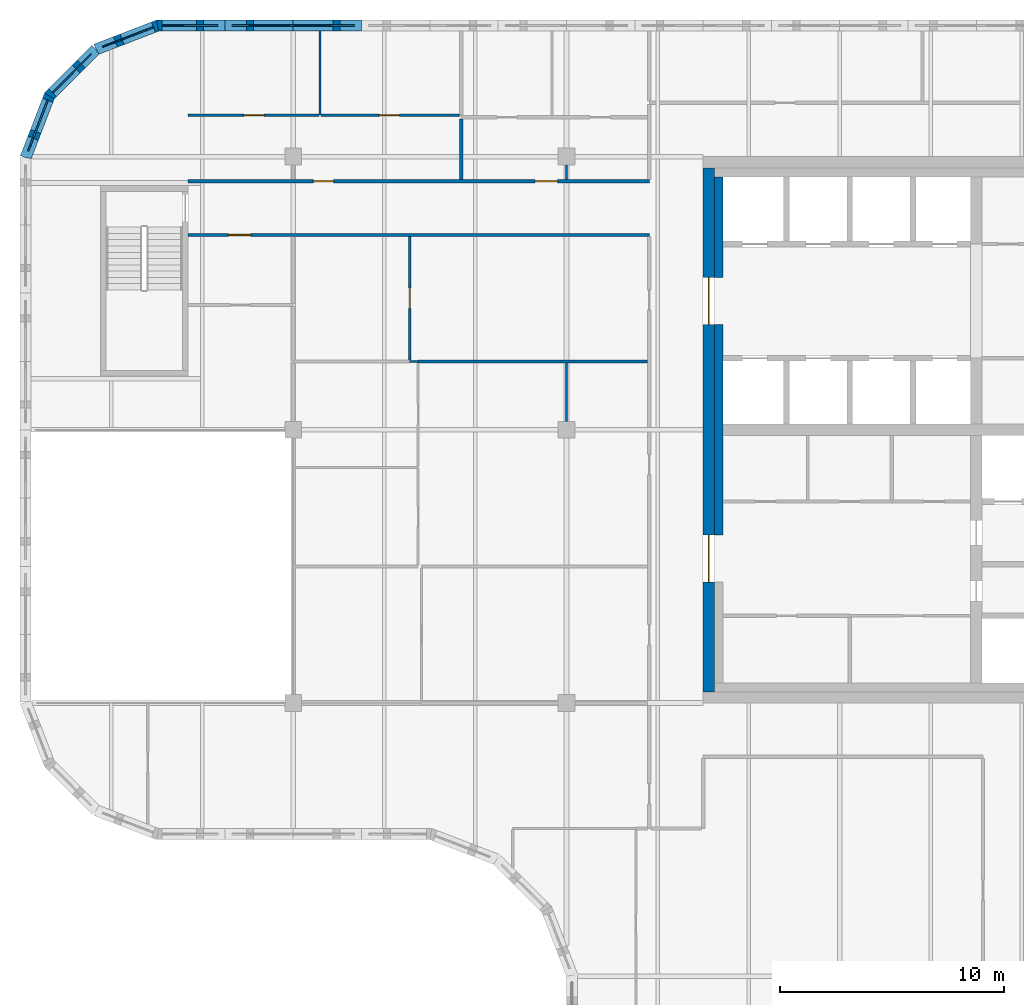
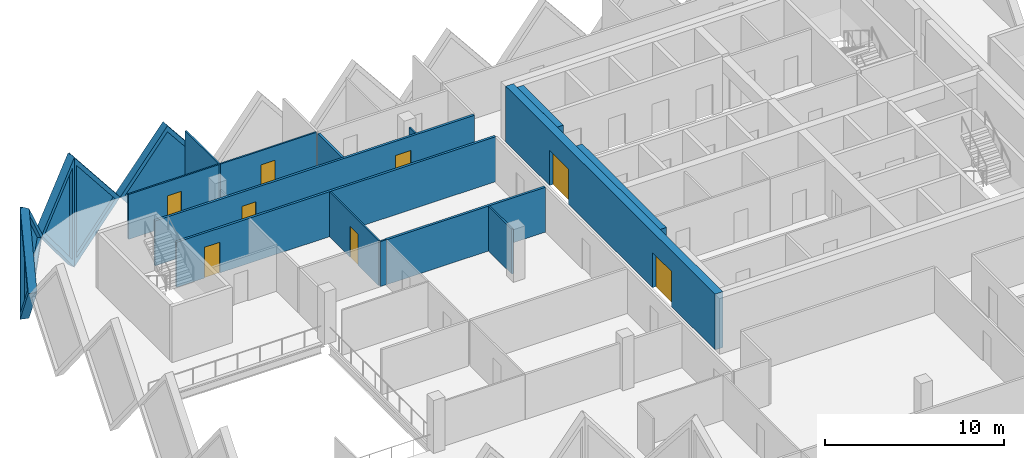
# One storey, part 7 of 12: 19 walls, 8 doors, 5 plates, 13 openings.
"""IFC4 building model written with IfcOpenShell, lengths in metres."""

from ifc_helpers import new_model, si_unit, direction, frame, frame_2d, origin, place, context, subcontext, project, spatial, polyline, rectangle, outline, extrude, faceted_brep, source, transform, mapped, material, layer, layer_set, type_object, element, fill, save


model = new_model("IFC4")

# Units and contexts
model_context = context("Model", 3, precision=1e-05, world=origin(), true_north=direction((0.0, 1.0)))
body_context = subcontext(model_context, "Body", "Model", "MODEL_VIEW")
ifc_project = project(units=[si_unit("LENGTHUNIT", "METRE"), si_unit("AREAUNIT", "SQUARE_METRE"), si_unit("VOLUMEUNIT", "CUBIC_METRE"), si_unit("PLANEANGLEUNIT", "RADIAN"), si_unit("MASSUNIT", "GRAM", prefix="KILO")], contexts=[model_context])

# Site, building, storey
site_placement = place(None, origin())
site = spatial("IfcSite", under=ifc_project, at=site_placement, CompositionType="ELEMENT")
building_placement = place(site_placement, origin())
building = spatial("IfcBuilding", under=site, at=building_placement, Name="Tessera Gate Towers", CompositionType="ELEMENT")
storey_placement = place(building_placement, frame((0.0, 0.0, 220.699951171875)))
storey = spatial("IfcBuildingStorey", under=building, at=storey_placement, Name="L55", CompositionType="ELEMENT", Elevation=220.699951171875)

# Wall, openings, doors
ifc_material_1 = material(Name="Concrete C50/60", Category="concrete")
ifc_layer_1 = layer(ifc_material_1, 0.5)
ifc_layer_set_1 = layer_set([ifc_layer_1], Name="CORE SHEAR WALL 500 C50/60")
wall_type_1 = type_object("IfcWallType", Name="CORE SHEAR WALL 500 C50/60", PredefinedType="SHEAR", material=ifc_layer_set_1)
wall_1_placement = place(storey_placement, frame((30.75, 24.89990234375, 0.0), z_axis=(0.0, 0.0, 1.0), x_axis=(0.0, 1.0, 0.0)))
wall_1 = element("IfcWall", 1, at=wall_1_placement, inside=storey, type_object=wall_type_1, Name="Core wall W L55", PredefinedType="SHEAR", context=body_context, shape_type="SweptSolid", body=[
    extrude(rectangle(XDim=23.400146484375, YDim=0.5, at=frame_2d((11.7001953125, 0.0))), origin(), (0.0, 0.0, 1.0), 3.800048828125),
])
shared_shape_1 = source(origin(), body_context, "Body", "SweptSolid", [
    extrude(rectangle(XDim=2.10009765625, YDim=2.39990234375, at=frame_2d((1.050048828125, 1.199951171875))), frame((0.0, 0.260009765625, 0.0), z_axis=(0.0, -1.0, 0.0), x_axis=(1.0, 0.0, 0.0)), (0.0, 0.0, 1.0), 0.52001953125),
])
opening_1_placement = place(wall_1_placement, frame((4.89990234375, 0.0, 0.0)))
opening_1 = element("IfcOpeningElement", 2, at=opening_1_placement, cuts=wall_1, Name="Opening DD-T1-33-02", PredefinedType="OPENING", context=body_context, shape_type="MappedRepresentation", body=[
    mapped(shared_shape_1, transform((0.0, 0.0, 0.0), scale=1.0)),
])
opening_2_placement = place(wall_1_placement, frame((16.39990234375, 0.0, 0.0)))
opening_2 = element("IfcOpeningElement", 3, at=opening_2_placement, cuts=wall_1, Name="Opening DD-T1-33-03", PredefinedType="OPENING", context=body_context, shape_type="MappedRepresentation", body=[
    mapped(shared_shape_1, transform((0.0, 0.0, 0.0), scale=1.0)),
])
ifc_material_2 = material(Name="Hollow steel fire door", Category="steel")
door_type_1 = type_object("IfcDoorType", Name="CORE DOOR DD 2100x2400", OperationType="NOTDEFINED", PredefinedType="DOOR", material=ifc_material_2)
shared_shape_2 = source(origin(), body_context, "Body", "SweptSolid", [
    extrude(rectangle(XDim=2.10009765625, YDim=2.39990234375, at=frame_2d((1.050048828125, 1.199951171875))), frame((0.0, 0.02490234375, 0.0), z_axis=(0.0, -1.0, 0.0), x_axis=(1.0, 0.0, 0.0)), (0.0, 0.0, 1.0), 0.050048828125),
])
door_1_placement = place(opening_1_placement, origin())
door_1 = element("IfcDoor", 4, at=door_1_placement, inside=storey, type_object=door_type_1, Name="Core entrance door", OperationType="DOUBLE_DOOR_SINGLE_SWING", OverallHeight=2.39990234375, OverallWidth=2.10009765625, PredefinedType="DOOR", context=body_context, shape_type="MappedRepresentation", body=[
    mapped(shared_shape_2, transform((0.0, 0.0, 0.0), scale=1.0)),
])
fill(opening_1, door_1)
door_2_placement = place(opening_2_placement, origin())
door_2 = element("IfcDoor", 5, at=door_2_placement, inside=storey, type_object=door_type_1, Name="Core entrance door", OperationType="DOUBLE_DOOR_SINGLE_SWING", OverallHeight=2.39990234375, OverallWidth=2.10009765625, PredefinedType="DOOR", context=body_context, shape_type="MappedRepresentation", body=[
    mapped(shared_shape_2, transform((0.0, 0.0, 0.0), scale=1.0)),
])
fill(opening_2, door_2)

# Walls
ifc_material_3 = material(Name="Concrete C50/60", Category="concrete")
ifc_layer_2 = layer(ifc_material_3, 0.39990234375)
ifc_layer_set_2 = layer_set([ifc_layer_2], Name="CORE WALL THICKENING 400")
wall_type_2 = type_object("IfcWallType", Name="CORE WALL THICKENING 400", PredefinedType="SOLIDWALL", material=ifc_layer_set_2)
wall_2_placement = place(storey_placement, frame((31.199951171875, 31.89990234375, 0.0), z_axis=(0.0, 0.0, 1.0), x_axis=(0.0, 1.0, 0.0)))
element("IfcWall", 6, at=wall_2_placement, inside=storey, type_object=wall_type_2, Name="Core wall thickening W L55", PredefinedType="SOLIDWALL", context=body_context, shape_type="SweptSolid", body=[
    extrude(rectangle(XDim=9.400146484375, YDim=0.39990234375, at=frame_2d((4.7001953125, 0.0))), origin(), (0.0, 0.0, 1.0), 3.800048828125),
])
wall_3_placement = place(storey_placement, frame((31.199951171875, 43.39990234375, 0.0), z_axis=(0.0, 0.0, 1.0), x_axis=(0.0, 1.0, 0.0)))
element("IfcWall", 7, at=wall_3_placement, inside=storey, type_object=wall_type_2, Name="Core wall thickening W L55", PredefinedType="SOLIDWALL", context=body_context, shape_type="SweptSolid", body=[
    extrude(rectangle(XDim=4.5, YDim=0.39990234375, at=frame_2d((2.25, 0.0))), origin(), (0.0, 0.0, 1.0), 3.800048828125),
])

# Wall, opening, door
ifc_material_4 = material(Name="Gypsum board on steel studs, mineral wool", Category="steel")
ifc_layer_3 = layer(ifc_material_4, 0.14990234375)
ifc_layer_set_3 = layer_set([ifc_layer_3], Name="CORRIDOR WALL 150")
wall_type_3 = type_object("IfcWallType", Name="CORRIDOR WALL 150", PredefinedType="PARTITIONING", material=ifc_layer_set_3)
wall_4_placement = place(storey_placement, frame((28.10009765625, 45.300048828125, 0.0), z_axis=(0.0, 0.0, 1.0), x_axis=(-1.0, 0.0, 0.0)))
wall_4 = element("IfcWall", 8, at=wall_4_placement, inside=storey, type_object=wall_type_3, Name="T1-L55-PW-040", PredefinedType="PARTITIONING", context=body_context, shape_type="SweptSolid", body=[
    extrude(rectangle(XDim=20.60009765625, YDim=0.14990234375, at=frame_2d((10.300048828125, 0.0))), origin(), (0.0, 0.0, 1.0), 3.067138671875),
])
shared_shape_3 = source(origin(), body_context, "Body", "SweptSolid", [
    extrude(rectangle(XDim=1.0, YDim=2.10009765625, at=frame_2d((0.5, 1.050048828125))), frame((0.0, 0.0849609375, 0.0), z_axis=(0.0, -1.0, 0.0), x_axis=(1.0, 0.0, 0.0)), (0.0, 0.0, 1.0), 0.169921875),
])
opening_3_placement = place(wall_4_placement, frame((17.800048828125, 0.0, 0.0)))
opening_3 = element("IfcOpeningElement", 9, at=opening_3_placement, cuts=wall_4, Name="Opening D2100FD60-A20-01", PredefinedType="OPENING", context=body_context, shape_type="MappedRepresentation", body=[
    mapped(shared_shape_3, transform((0.0, 0.0, 0.0), scale=1.0)),
])
ifc_material_5 = material(Name="Timber door leaf in steel frame", Category="steel")
door_type_2 = type_object("IfcDoorType", Name="TENANCY ENTRANCE DOOR 1000 FD60", OperationType="NOTDEFINED", PredefinedType="DOOR", material=ifc_material_5)
shared_shape_4 = source(origin(), body_context, "Body", "SweptSolid", [
    extrude(rectangle(XDim=1.0, YDim=2.10009765625, at=frame_2d((0.5, 1.050048828125))), frame((0.0, 0.02490234375, 0.0), z_axis=(0.0, -1.0, 0.0), x_axis=(1.0, 0.0, 0.0)), (0.0, 0.0, 1.0), 0.050048828125),
])
door_3_placement = place(opening_3_placement, origin())
door_3 = element("IfcDoor", 10, at=door_3_placement, inside=storey, type_object=door_type_2, Name="T1-L55-PD-006", OperationType="SINGLE_SWING_RIGHT", OverallHeight=2.10009765625, OverallWidth=1.0, PredefinedType="DOOR", context=body_context, shape_type="MappedRepresentation", body=[
    mapped(shared_shape_4, transform((0.0, 0.0, 0.0), scale=1.0)),
])
fill(opening_3, door_3)

# Wall, openings, doors
wall_5_placement = place(storey_placement, frame((7.5, 47.699951171875, 0.0), z_axis=(0.0, 0.0, 1.0), x_axis=(1.0, 0.0, 0.0)))
wall_5 = element("IfcWall", 11, at=wall_5_placement, inside=storey, type_object=wall_type_3, Name="T1-L55-PW-041", PredefinedType="PARTITIONING", context=body_context, shape_type="SweptSolid", body=[
    extrude(rectangle(XDim=20.60009765625, YDim=0.14990234375, at=frame_2d((10.300048828125, 0.0))), origin(), (0.0, 0.0, 1.0), 3.067138671875),
])
opening_4_placement = place(wall_5_placement, frame((15.5009765625, 0.0, 0.0)))
opening_4 = element("IfcOpeningElement", 12, at=opening_4_placement, cuts=wall_5, Name="Opening D2100FD60-A20-03", PredefinedType="OPENING", context=body_context, shape_type="MappedRepresentation", body=[
    mapped(shared_shape_3, transform((0.0, 0.0, 0.0), scale=1.0)),
])
shared_shape_5 = source(origin(), body_context, "Body", "SweptSolid", [
    extrude(rectangle(XDim=0.89990234375, YDim=2.10009765625, at=frame_2d((0.449951171875, 1.050048828125))), frame((0.0, 0.0849609375, 0.0), z_axis=(0.0, -1.0, 0.0), x_axis=(1.0, 0.0, 0.0)), (0.0, 0.0, 1.0), 0.169921875),
])
opening_5_placement = place(wall_5_placement, frame((5.60009765625, 0.0, 0.0)))
opening_5 = element("IfcOpeningElement", 13, at=opening_5_placement, cuts=wall_5, Name="Opening D890FD60-A20-10", PredefinedType="OPENING", context=body_context, shape_type="MappedRepresentation", body=[
    mapped(shared_shape_5, transform((0.0, 0.0, 0.0), scale=1.0)),
])
ifc_material_6 = material(Name="Timber door leaf in steel frame", Category="steel")
door_type_3 = type_object("IfcDoorType", Name="CORRIDOR DOOR 900 FD60", OperationType="NOTDEFINED", PredefinedType="DOOR", material=ifc_material_6)
shared_shape_6 = source(origin(), body_context, "Body", "SweptSolid", [
    extrude(rectangle(XDim=0.89990234375, YDim=2.10009765625, at=frame_2d((0.449951171875, 1.050048828125))), frame((0.0, 0.02490234375, 0.0), z_axis=(0.0, -1.0, 0.0), x_axis=(1.0, 0.0, 0.0)), (0.0, 0.0, 1.0), 0.050048828125),
])
door_4_placement = place(opening_5_placement, origin())
door_4 = element("IfcDoor", 14, at=door_4_placement, inside=storey, type_object=door_type_3, Name="T1-L55-PD-025", OperationType="SINGLE_SWING_LEFT", OverallHeight=2.10009765625, OverallWidth=0.89990234375, PredefinedType="DOOR", context=body_context, shape_type="MappedRepresentation", body=[
    mapped(shared_shape_6, transform((0.0, 0.0, 0.0), scale=1.0)),
])
fill(opening_5, door_4)
door_5_placement = place(opening_4_placement, origin())
door_5 = element("IfcDoor", 15, at=door_5_placement, inside=storey, type_object=door_type_2, Name="T1-L55-PD-019", OperationType="SINGLE_SWING_LEFT", OverallHeight=2.10009765625, OverallWidth=1.0, PredefinedType="DOOR", context=body_context, shape_type="MappedRepresentation", body=[
    mapped(shared_shape_4, transform((0.0, 0.0, 0.0), scale=1.0)),
])
fill(opening_4, door_5)

# Wall
ifc_material_7 = material(Name="Glass", Category="glass")
ifc_layer_4 = layer(ifc_material_7, 0.10009765625)
ifc_layer_set_4 = layer_set([ifc_layer_4], Name="GLAZED PARTITION 100")
wall_type_4 = type_object("IfcWallType", Name="GLAZED PARTITION 100", PredefinedType="PARTITIONING", material=ifc_layer_set_4)
wall_6_placement = place(storey_placement, frame((17.40087890625, 39.64990234375, 0.0), z_axis=(0.0, 0.0, 1.0), x_axis=(1.0, 0.0, 0.0)))
element("IfcWall", 16, at=wall_6_placement, inside=storey, type_object=wall_type_4, Name="T1-L55-PW-034", PredefinedType="PARTITIONING", context=body_context, shape_type="SweptSolid", body=[
    extrude(rectangle(XDim=0.373046875, YDim=0.10009765625, at=frame_2d((0.1865234375, 0.0))), origin(), (0.0, 0.0, 1.0), 3.067138671875),
])

# Wall, opening, door
wall_7_placement = place(storey_placement, frame((17.39990234375, 39.72607421875, 0.0), z_axis=(0.0, 0.0, 1.0), x_axis=(0.0, 1.0, 0.0)))
wall_7 = element("IfcWall", 17, at=wall_7_placement, inside=storey, type_object=wall_type_4, Name="T1-L55-PW-037", PredefinedType="PARTITIONING", context=body_context, shape_type="SweptSolid", body=[
    extrude(rectangle(XDim=5.498046875, YDim=0.10009765625, at=frame_2d((2.7490234375, 0.0))), origin(), (0.0, 0.0, 1.0), 3.067138671875),
])
shared_shape_7 = source(origin(), body_context, "Body", "SweptSolid", [
    extrude(rectangle(XDim=0.89990234375, YDim=2.10009765625, at=frame_2d((0.449951171875, 1.050048828125))), frame((0.0, 0.06005859375, 0.0), z_axis=(0.0, -1.0, 0.0), x_axis=(1.0, 0.0, 0.0)), (0.0, 0.0, 1.0), 0.1201171875),
])
opening_6_placement = place(wall_7_placement, frame((2.300048828125, 0.0, 0.0)))
opening_6 = element("IfcOpeningElement", 18, at=opening_6_placement, cuts=wall_7, Name="Opening D690-A20-04", PredefinedType="OPENING", context=body_context, shape_type="MappedRepresentation", body=[
    mapped(shared_shape_7, transform((0.0, 0.0, 0.0), scale=1.0)),
])
ifc_material_8 = material(Name="Glass in aluminium frame", Category="aluminium")
door_type_4 = type_object("IfcDoorType", Name="GLAZED DOOR 900 NOT RATED", OperationType="NOTDEFINED", PredefinedType="DOOR", material=ifc_material_8)
door_6_placement = place(opening_6_placement, origin())
door_6 = element("IfcDoor", 19, at=door_6_placement, inside=storey, type_object=door_type_4, Name="T1-L55-PD-010", OperationType="SINGLE_SWING_LEFT", OverallHeight=2.10009765625, OverallWidth=0.89990234375, PredefinedType="DOOR", context=body_context, shape_type="MappedRepresentation", body=[
    mapped(shared_shape_6, transform((0.0, 0.0, 0.0), scale=1.0)),
])
fill(opening_6, door_6)

wall_8_placement = place(storey_placement, frame((7.5, 50.64990234375, 0.0), z_axis=(0.0, 0.0, 1.0), x_axis=(1.0, 0.0, 0.0)))
wall_8 = element("IfcWall", 20, at=wall_8_placement, inside=storey, type_object=wall_type_4, Name="T1-L55-PW-048", PredefinedType="PARTITIONING", context=body_context, shape_type="SweptSolid", body=[
    extrude(rectangle(XDim=5.8427734375, YDim=0.10009765625, at=frame_2d((2.92138671875, 0.0))), origin(), (0.0, 0.0, 1.0), 3.067138671875),
])
opening_7_placement = place(wall_8_placement, frame((2.5, 0.0, 0.0)))
opening_7 = element("IfcOpeningElement", 21, at=opening_7_placement, cuts=wall_8, Name="Opening D690-A20-05", PredefinedType="OPENING", context=body_context, shape_type="MappedRepresentation", body=[
    mapped(shared_shape_7, transform((0.0, 0.0, 0.0), scale=1.0)),
])
door_7_placement = place(opening_7_placement, origin())
door_7 = element("IfcDoor", 22, at=door_7_placement, inside=storey, type_object=door_type_4, Name="T1-L55-PD-012", OperationType="SINGLE_SWING_LEFT", OverallHeight=2.10009765625, OverallWidth=0.89990234375, PredefinedType="DOOR", context=body_context, shape_type="MappedRepresentation", body=[
    mapped(shared_shape_6, transform((0.0, 0.0, 0.0), scale=1.0)),
])
fill(opening_7, door_7)

wall_9_placement = place(storey_placement, frame((13.444580078125, 50.64990234375, 0.0), z_axis=(0.0, 0.0, 1.0), x_axis=(1.0, 0.0, 0.0)))
wall_9 = element("IfcWall", 23, at=wall_9_placement, inside=storey, type_object=wall_type_4, Name="T1-L55-PW-050", PredefinedType="PARTITIONING", context=body_context, shape_type="SweptSolid", body=[
    extrude(rectangle(XDim=6.179443359375, YDim=0.10009765625, at=frame_2d((3.08984375, 0.0))), origin(), (0.0, 0.0, 1.0), 3.067138671875),
])
opening_8_placement = place(wall_9_placement, frame((2.60009765625, 0.0, 0.0)))
opening_8 = element("IfcOpeningElement", 24, at=opening_8_placement, cuts=wall_9, Name="Opening D690-A20-07", PredefinedType="OPENING", context=body_context, shape_type="MappedRepresentation", body=[
    mapped(shared_shape_7, transform((0.0, 0.0, 0.0), scale=1.0)),
])
door_8_placement = place(opening_8_placement, origin())
door_8 = element("IfcDoor", 25, at=door_8_placement, inside=storey, type_object=door_type_4, Name="T1-L55-PD-016", OperationType="SINGLE_SWING_LEFT", OverallHeight=2.10009765625, OverallWidth=0.89990234375, PredefinedType="DOOR", context=body_context, shape_type="MappedRepresentation", body=[
    mapped(shared_shape_6, transform((0.0, 0.0, 0.0), scale=1.0)),
])
fill(opening_8, door_8)

# Walls
ifc_material_9 = material(Name="Gypsum board on steel studs", Category="steel")
ifc_layer_5 = layer(ifc_material_9, 0.10009765625)
ifc_layer_set_5 = layer_set([ifc_layer_5], Name="PARTITION 100")
wall_type_5 = type_object("IfcWallType", Name="PARTITION 100", PredefinedType="PARTITIONING", material=ifc_layer_set_5)
wall_10_placement = place(storey_placement, frame((24.39990234375, 36.97509765625, 0.0), z_axis=(0.0, 0.0, 1.0), x_axis=(0.0, 1.0, 0.0)))
element("IfcWall", 26, at=wall_10_placement, inside=storey, type_object=wall_type_5, Name="T1-L55-PW-032", PredefinedType="PARTITIONING", context=body_context, shape_type="SweptSolid", body=[
    extrude(rectangle(XDim=2.599853515625, YDim=0.10009765625, at=frame_2d((1.2998046875, 0.0))), origin(), (0.0, 0.0, 1.0), 3.067138671875),
])
wall_11_placement = place(storey_placement, frame((24.39990234375, 48.425048828125, 0.0), z_axis=(0.0, 0.0, 1.0), x_axis=(0.0, -1.0, 0.0)))
element("IfcWall", 27, at=wall_11_placement, inside=storey, type_object=wall_type_5, Name="T1-L55-PW-045", PredefinedType="PARTITIONING", context=body_context, shape_type="SweptSolid", body=[
    extrude(rectangle(XDim=0.650146484375, YDim=0.10009765625, at=frame_2d((0.3251953125, 0.0))), origin(), (0.0, 0.0, 1.0), 3.067138671875),
])
wall_12_placement = place(storey_placement, frame((13.39404296875, 50.64990234375, 0.0), z_axis=(0.0, 0.0, 1.0), x_axis=(0.0, 1.0, 0.0)))
element("IfcWall", 28, at=wall_12_placement, inside=storey, type_object=wall_type_5, Name="T1-L55-PW-049", PredefinedType="PARTITIONING", context=body_context, shape_type="SweptSolid", body=[
    extrude(rectangle(XDim=3.75, YDim=0.10009765625, at=frame_2d((1.875, 0.0))), origin(), (0.0, 0.0, 1.0), 3.067138671875),
])
ifc_material_10 = material(Name="Gypsum board on steel studs, mineral wool", Category="steel")
ifc_layer_6 = layer(ifc_material_10, 0.14990234375)
ifc_layer_set_6 = layer_set([ifc_layer_6], Name="TENANCY WALL 150")
wall_type_6 = type_object("IfcWallType", Name="TENANCY WALL 150", PredefinedType="PARTITIONING", material=ifc_layer_set_6)
wall_13_placement = place(storey_placement, frame((17.77490234375, 39.64990234375, 0.0), z_axis=(0.0, 0.0, 1.0), x_axis=(1.0, 0.0, 0.0)))
element("IfcWall", 29, at=wall_13_placement, inside=storey, type_object=wall_type_6, Name="T1-L55-PW-035", PredefinedType="PARTITIONING", context=body_context, shape_type="SweptSolid", body=[
    extrude(rectangle(XDim=10.2490234375, YDim=0.14990234375, at=frame_2d((5.12451171875, 0.0))), origin(), (0.0, 0.0, 1.0), 3.067138671875),
])
wall_14_placement = place(storey_placement, frame((19.699951171875, 47.77587890625, 0.0), z_axis=(0.0, 0.0, 1.0), x_axis=(0.0, 1.0, 0.0)))
element("IfcWall", 30, at=wall_14_placement, inside=storey, type_object=wall_type_6, Name="T1-L55-PW-042", PredefinedType="PARTITIONING", context=body_context, shape_type="SweptSolid", body=[
    extrude(rectangle(XDim=2.6982421875, YDim=0.14990234375, at=frame_2d((1.34912109375, 0.0))), origin(), (0.0, 0.0, 1.0), 3.067138671875),
])

# Wall, opening, plate
ifc_material_11 = material(Name="Precast concrete C60/75 white", Category="concrete")
ifc_layer_7 = layer(ifc_material_11, 0.5)
ifc_layer_set_7 = layer_set([ifc_layer_7], Name="TS1 tessera")
wall_type_7 = type_object("IfcWallType", Name="TS1 tessera", PredefinedType="SOLIDWALL", material=ifc_layer_set_7)
shared_shape_8 = source(origin(), body_context, "Body", "SweptSolid", [
    extrude(outline(polyline([(3.050048828125, 0.0), (6.10009765625, 3.800048828125), (3.050048828125, 7.60009765625), (0.0, 3.800048828125), (3.050048828125, 0.0)])), frame((0.0, 0.25, 0.0), z_axis=(0.0, -1.0, 0.0), x_axis=(1.0, 0.0, 0.0)), (0.0, 0.0, 1.0), 0.5),
])
wall_15_placement = place(storey_placement, frame((15.25, 54.64990234375, -3.800048828125), z_axis=(0.0, 0.0, 1.0), x_axis=(-1.0, 0.0, 0.0)))
wall_15 = element("IfcWall", 31, at=wall_15_placement, inside=storey, type_object=wall_type_7, Name="Precast tessera T1 TS1-0982", PredefinedType="SOLIDWALL", context=body_context, shape_type="MappedRepresentation", body=[
    mapped(shared_shape_8, transform((0.0, 0.0, 0.0), scale=1.0)),
])
shared_shape_9 = source(origin(), body_context, "Body", "SweptSolid", [
    extrude(outline(polyline([(3.050048828125, 0.3994140625), (5.779541015625, 3.800048828125), (3.050048828125, 7.20068359375), (0.320556640625, 3.800048828125), (3.050048828125, 0.3994140625)])), frame((0.0, 0.260009765625, 0.0), z_axis=(0.0, -1.0, 0.0), x_axis=(1.0, 0.0, 0.0)), (0.0, 0.0, 1.0), 0.52001953125),
])
opening_9_placement = place(wall_15_placement, origin())
opening_9 = element("IfcOpeningElement", 32, at=opening_9_placement, cuts=wall_15, Name="Opening T1-PL2-2000", PredefinedType="OPENING", context=body_context, shape_type="MappedRepresentation", body=[
    mapped(shared_shape_9, transform((0.0, 0.0, 0.0), scale=1.0)),
])
ifc_material_12 = material(Name="Low-e laminated glass", Category="glass")
ifc_layer_8 = layer(ifc_material_12, 0.06005859375)
ifc_layer_set_8 = layer_set([ifc_layer_8], Name="PL2 rhombic pane")
plate_type = type_object("IfcPlateType", Name="PL2 rhombic pane", PredefinedType="SHEET", material=ifc_layer_set_8)
shared_shape_10 = source(origin(), body_context, "Body", "SweptSolid", [
    extrude(outline(polyline([(3.050048828125, 0.3994140625), (5.779541015625, 3.800048828125), (3.050048828125, 7.20068359375), (0.320556640625, 3.800048828125), (3.050048828125, 0.3994140625)])), frame((0.0, 0.030029296875, 0.0), z_axis=(0.0, -1.0, 0.0), x_axis=(1.0, 0.0, 0.0)), (0.0, 0.0, 1.0), 0.06005859375),
])
plate_1_placement = place(opening_9_placement, origin())
plate_1 = element("IfcPlate", 33, at=plate_1_placement, inside=storey, type_object=plate_type, Name="Glass pane T1 PL2-2000", PredefinedType="SHEET", context=body_context, shape_type="MappedRepresentation", body=[
    mapped(shared_shape_10, transform((0.0, 0.0, 0.0), scale=1.0)),
])
fill(opening_9, plate_1)

ifc_material_13 = material(Name="Precast concrete C60/75 white", Category="concrete")
ifc_layer_9 = layer(ifc_material_13, 0.5)
ifc_layer_set_9 = layer_set([ifc_layer_9], Name="TS3 corner tessera")
wall_type_8 = type_object("IfcWallType", Name="TS3 corner tessera", PredefinedType="SOLIDWALL", material=ifc_layer_set_9)
shared_shape_11 = source(origin(), body_context, "Body", "Brep", [
    faceted_brep([(3.00341796875, -0.25, 0.0), (3.050048828125, -0.25, 0.06005859375), (3.050048828125, -0.25, 7.5400390625), (3.00341796875, -0.25, 7.60009765625), (0.0, -0.25, 3.800048828125), (0.0, 0.25, 3.800048828125), (2.956787109375, 0.25, 7.541259765625), (2.956787109375, 0.25, 0.058837890625), (3.00341796875, 0.000244140625, 0.0), (3.00341796875, 0.000244140625, 7.60009765625)], [[[0, 1, 2, 3, 4]], [[5, 6, 7]], [[1, 0, 8]], [[9, 3, 2]], [[6, 5, 4, 3, 9]], [[5, 7, 8, 0, 4]], [[1, 8, 7, 6, 9, 2]]]),
])
wall_16_placement = place(storey_placement, frame((9.14990234375, 54.64990234375, -3.800048828125), z_axis=(0.0, 0.0, 1.0), x_axis=(-1.0, 0.0, 0.0)))
wall_16 = element("IfcWall", 34, at=wall_16_placement, inside=storey, type_object=wall_type_8, Name="Precast corner tessera T1 TS3-1283", PredefinedType="SOLIDWALL", context=body_context, shape_type="MappedRepresentation", body=[
    mapped(shared_shape_11, transform((0.0, 0.0, 0.0), scale=1.0)),
])
shared_shape_12 = source(origin(), body_context, "Body", "SweptSolid", [
    extrude(outline(polyline([(2.803466796875, 6.94384765625), (0.318603515625, 3.800048828125), (2.803466796875, 0.65625), (2.803466796875, 6.94384765625)])), frame((0.0, 0.260009765625, 0.0), z_axis=(0.0, -1.0, 0.0), x_axis=(1.0, 0.0, 0.0)), (0.0, 0.0, 1.0), 0.52001953125),
])
opening_10_placement = place(wall_16_placement, origin())
opening_10 = element("IfcOpeningElement", 35, at=opening_10_placement, cuts=wall_16, Name="Opening T1-PL2-2001", PredefinedType="OPENING", context=body_context, shape_type="MappedRepresentation", body=[
    mapped(shared_shape_12, transform((0.0, 0.0, 0.0), scale=1.0)),
])
shared_shape_13 = source(origin(), body_context, "Body", "SweptSolid", [
    extrude(outline(polyline([(2.803466796875, 6.94384765625), (0.318603515625, 3.800048828125), (2.803466796875, 0.65625), (2.803466796875, 6.94384765625)])), frame((0.0, 0.030029296875, 0.0), z_axis=(0.0, -1.0, 0.0), x_axis=(1.0, 0.0, 0.0)), (0.0, 0.0, 1.0), 0.06005859375),
])
plate_2_placement = place(opening_10_placement, origin())
plate_2 = element("IfcPlate", 36, at=plate_2_placement, inside=storey, type_object=plate_type, Name="Glass pane T1 PL2-2001", PredefinedType="SHEET", context=body_context, shape_type="MappedRepresentation", body=[
    mapped(shared_shape_13, transform((0.0, 0.0, 0.0), scale=1.0)),
])
fill(opening_10, plate_2)

shared_shape_14 = source(origin(), body_context, "Body", "Brep", [
    faceted_brep([(0.046630859375, -0.25, 0.0), (2.9970703125, -0.25, 3.800048828125), (0.046630859375, -0.25, 7.60009765625), (0.0, -0.25, 7.541259765625), (0.0, -0.25, 0.058837890625), (0.09326171875, 0.25, 7.5400390625), (2.9443359375, 0.25, 3.8681640625), (2.9443359375, 0.25, 3.73193359375), (0.09326171875, 0.25, 0.06005859375), (2.9970703125, 0.00048828125, 3.800048828125), (0.046630859375, 0.0, 0.0), (0.046630859375, 0.0, 7.60009765625)], [[[0, 1, 2, 3, 4]], [[5, 6, 7, 8]], [[8, 7, 9, 1, 0, 10]], [[6, 5, 11, 2, 1, 9]], [[3, 2, 11]], [[10, 0, 4]], [[8, 10, 4, 3, 11, 5]], [[9, 7, 6]]]),
])
wall_17_placement = place(storey_placement, frame((6.18994140625, 54.666748046875, -3.800048828125), z_axis=(0.0, 0.0, 1.0), x_axis=(-0.932990326376, -0.359901446078, 0.0)))
wall_17 = element("IfcWall", 37, at=wall_17_placement, inside=storey, type_object=wall_type_8, Name="Precast corner tessera T1 TS3-1284", PredefinedType="SOLIDWALL", context=body_context, shape_type="MappedRepresentation", body=[
    mapped(shared_shape_14, transform((0.0, 0.0, 0.0), scale=1.0)),
])
shared_shape_15 = source(origin(), body_context, "Body", "SweptSolid", [
    extrude(outline(polyline([(0.24658203125, 0.665283203125), (2.6806640625, 3.800048828125), (0.24658203125, 6.934814453125), (0.24658203125, 0.665283203125)])), frame((0.0, 0.260009765625, 0.0), z_axis=(0.0, -1.0, 0.0), x_axis=(1.0, 0.0, 0.0)), (0.0, 0.0, 1.0), 0.52001953125),
])
opening_11_placement = place(wall_17_placement, origin())
opening_11 = element("IfcOpeningElement", 38, at=opening_11_placement, cuts=wall_17, Name="Opening T1-PL2-2002", PredefinedType="OPENING", context=body_context, shape_type="MappedRepresentation", body=[
    mapped(shared_shape_15, transform((0.0, 0.0, 0.0), scale=1.0)),
])
shared_shape_16 = source(origin(), body_context, "Body", "SweptSolid", [
    extrude(outline(polyline([(0.24658203125, 0.665283203125), (2.6806640625, 3.800048828125), (0.24658203125, 6.934814453125), (0.24658203125, 0.665283203125)])), frame((0.0, 0.030029296875, 0.0), z_axis=(0.0, -1.0, 0.0), x_axis=(1.0, 0.0, 0.0)), (0.0, 0.0, 1.0), 0.06005859375),
])
plate_3_placement = place(opening_11_placement, origin())
plate_3 = element("IfcPlate", 39, at=plate_3_placement, inside=storey, type_object=plate_type, Name="Glass pane T1 PL2-2002", PredefinedType="SHEET", context=body_context, shape_type="MappedRepresentation", body=[
    mapped(shared_shape_16, transform((0.0, 0.0, 0.0), scale=1.0)),
])
fill(opening_11, plate_3)

shared_shape_17 = source(origin(), body_context, "Body", "Brep", [
    faceted_brep([(0.052978515625, -0.25, 0.0), (3.00341796875, -0.25, 3.800048828125), (0.052978515625, -0.25, 7.60009765625), (0.0, -0.25, 7.53173828125), (0.0, -0.25, 0.068359375), (0.10595703125, 0.25, 7.531982421875), (2.95703125, 0.25, 3.85986328125), (2.95703125, 0.25, 3.740234375), (0.10595703125, 0.25, 0.068115234375), (3.00341796875, 0.00048828125, 3.800048828125), (0.052978515625, 0.0, 0.0), (0.052978515625, 0.0, 7.60009765625)], [[[0, 1, 2, 3, 4]], [[5, 6, 7, 8]], [[8, 7, 9, 1, 0, 10]], [[6, 5, 11, 2, 1, 9]], [[3, 2, 11]], [[10, 0, 4]], [[8, 10, 4, 3, 11, 5]], [[9, 7, 6]]]),
])
wall_18_placement = place(storey_placement, frame((1.3310546875, 51.5556640625, -3.800048828125), z_axis=(0.0, 0.0, 1.0), x_axis=(-0.35992665181, -0.932980602862, 0.0)))
wall_18 = element("IfcWall", 40, at=wall_18_placement, inside=storey, type_object=wall_type_8, Name="Precast corner tessera T1 TS3-1286", PredefinedType="SOLIDWALL", context=body_context, shape_type="MappedRepresentation", body=[
    mapped(shared_shape_17, transform((0.0, 0.0, 0.0), scale=1.0)),
])
shared_shape_18 = source(origin(), body_context, "Body", "SweptSolid", [
    extrude(outline(polyline([(0.2529296875, 0.665283203125), (2.68701171875, 3.800048828125), (0.2529296875, 6.934814453125), (0.2529296875, 0.665283203125)])), frame((0.0, 0.260009765625, 0.0), z_axis=(0.0, -1.0, 0.0), x_axis=(1.0, 0.0, 0.0)), (0.0, 0.0, 1.0), 0.52001953125),
])
opening_12_placement = place(wall_18_placement, origin())
opening_12 = element("IfcOpeningElement", 41, at=opening_12_placement, cuts=wall_18, Name="Opening T1-PL2-2004", PredefinedType="OPENING", context=body_context, shape_type="MappedRepresentation", body=[
    mapped(shared_shape_18, transform((0.0, 0.0, 0.0), scale=1.0)),
])
shared_shape_19 = source(origin(), body_context, "Body", "SweptSolid", [
    extrude(outline(polyline([(0.2529296875, 0.665283203125), (2.68701171875, 3.800048828125), (0.2529296875, 6.934814453125), (0.2529296875, 0.665283203125)])), frame((0.0, 0.030029296875, 0.0), z_axis=(0.0, -1.0, 0.0), x_axis=(1.0, 0.0, 0.0)), (0.0, 0.0, 1.0), 0.06005859375),
])
plate_4_placement = place(opening_12_placement, origin())
plate_4 = element("IfcPlate", 42, at=plate_4_placement, inside=storey, type_object=plate_type, Name="Glass pane T1 PL2-2004", PredefinedType="SHEET", context=body_context, shape_type="MappedRepresentation", body=[
    mapped(shared_shape_19, transform((0.0, 0.0, 0.0), scale=1.0)),
])
fill(opening_12, plate_4)

shared_shape_20 = source(origin(), body_context, "Body", "Brep", [
    faceted_brep([(2.944091796875, -0.25, 0.0), (2.9970703125, -0.25, 0.068115234375), (2.9970703125, -0.25, 7.531982421875), (2.944091796875, -0.25, 7.60009765625), (0.0, -0.25, 3.800048828125), (0.052978515625, 0.25, 3.868408203125), (2.89111328125, 0.25, 7.531982421875), (2.89111328125, 0.25, 0.068115234375), (0.052978515625, 0.25, 3.731689453125), (2.944091796875, 0.000244140625, 0.0), (2.944091796875, 0.000244140625, 7.60009765625), (0.0, 0.0, 3.800048828125)], [[[0, 1, 2, 3, 4]], [[5, 6, 7, 8]], [[1, 0, 9]], [[10, 3, 2]], [[6, 5, 11, 4, 3, 10]], [[8, 7, 9, 0, 4, 11]], [[8, 11, 5]], [[1, 9, 7, 6, 10, 2]]]),
])
wall_19_placement = place(storey_placement, frame((3.393798828125, 53.588134765625, -3.800048828125), z_axis=(0.0, 0.0, 1.0), x_axis=(-0.707106781187, -0.707106781187, 0.0)))
wall_19 = element("IfcWall", 43, at=wall_19_placement, inside=storey, type_object=wall_type_8, Name="Precast corner tessera T1 TS3-1285", PredefinedType="SOLIDWALL", context=body_context, shape_type="MappedRepresentation", body=[
    mapped(shared_shape_20, transform((0.0, 0.0, 0.0), scale=1.0)),
])
shared_shape_21 = source(origin(), body_context, "Body", "SweptSolid", [
    extrude(outline(polyline([(2.744140625, 6.933837890625), (0.316162109375, 3.800048828125), (2.744140625, 0.66650390625), (2.744140625, 6.933837890625)])), frame((0.0, 0.260009765625, 0.0), z_axis=(0.0, -1.0, 0.0), x_axis=(1.0, 0.0, 0.0)), (0.0, 0.0, 1.0), 0.52001953125),
])
opening_13_placement = place(wall_19_placement, origin())
opening_13 = element("IfcOpeningElement", 44, at=opening_13_placement, cuts=wall_19, Name="Opening T1-PL2-2003", PredefinedType="OPENING", context=body_context, shape_type="MappedRepresentation", body=[
    mapped(shared_shape_21, transform((0.0, 0.0, 0.0), scale=1.0)),
])
shared_shape_22 = source(origin(), body_context, "Body", "SweptSolid", [
    extrude(outline(polyline([(2.744140625, 6.933837890625), (0.316162109375, 3.800048828125), (2.744140625, 0.66650390625), (2.744140625, 6.933837890625)])), frame((0.0, 0.030029296875, 0.0), z_axis=(0.0, -1.0, 0.0), x_axis=(1.0, 0.0, 0.0)), (0.0, 0.0, 1.0), 0.06005859375),
])
plate_5_placement = place(opening_13_placement, origin())
plate_5 = element("IfcPlate", 45, at=plate_5_placement, inside=storey, type_object=plate_type, Name="Glass pane T1 PL2-2003", PredefinedType="SHEET", context=body_context, shape_type="MappedRepresentation", body=[
    mapped(shared_shape_22, transform((0.0, 0.0, 0.0), scale=1.0)),
])
fill(opening_13, plate_5)

save(model, "model.ifc")
